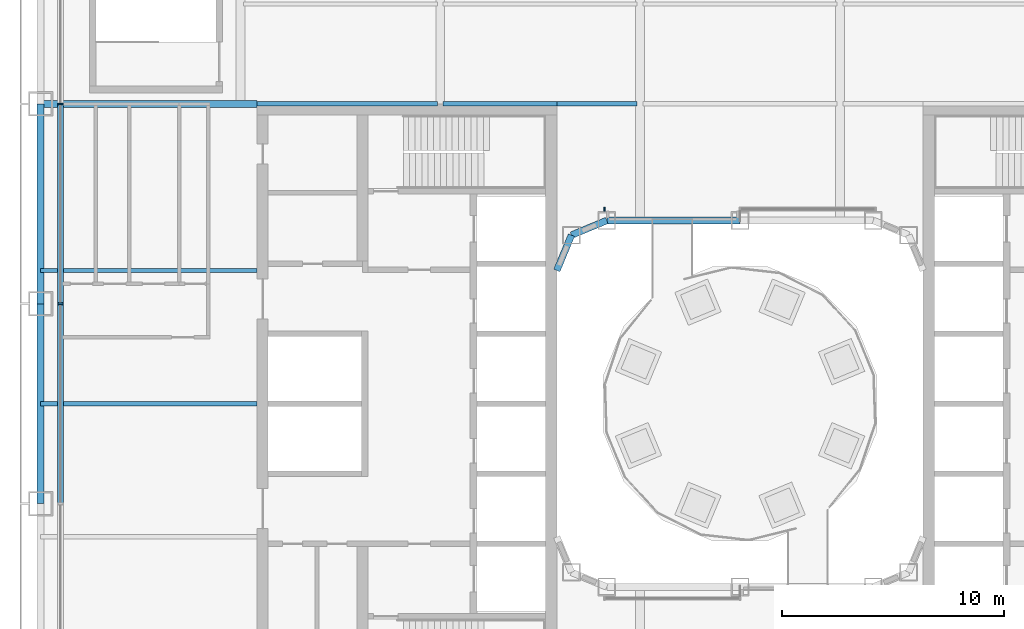
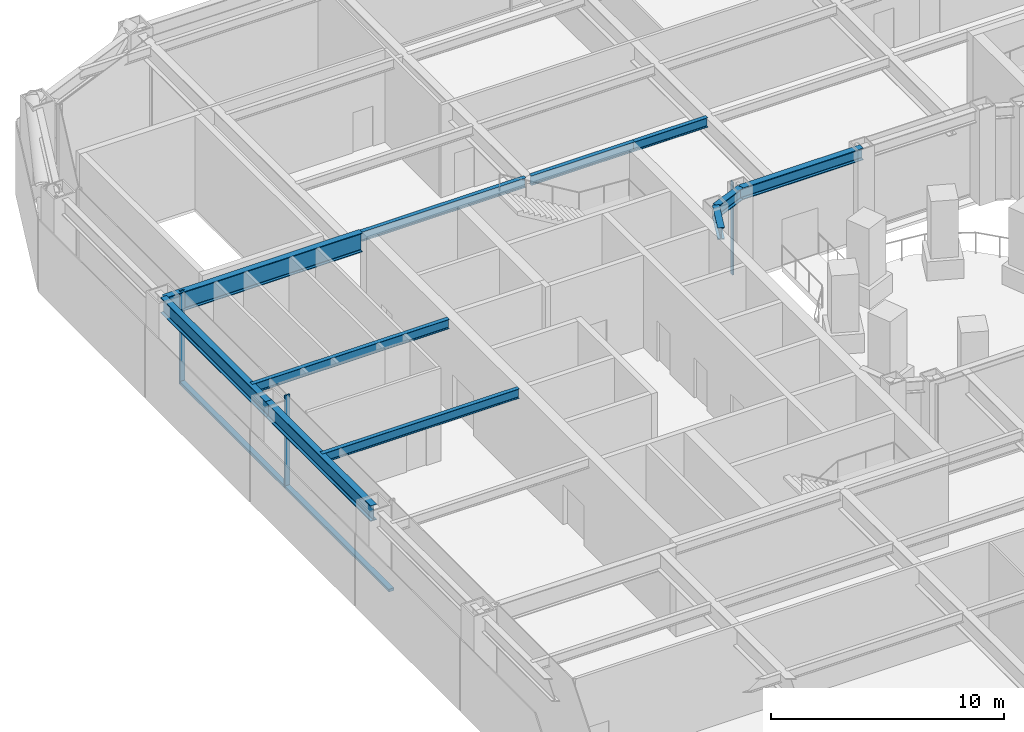
# One storey, part 6 of 25: 11 beams, 5 members, 2 elements without a shape of their own.
"""IFC4 building model written with IfcOpenShell, lengths in metres."""

from ifc_helpers import new_model, si_unit, direction, frame, origin, origin_2d, place, context, subcontext, project, spatial, rectangle, i_section, extrude, material, layer, layer_set, material_profile, profile_set, type_object, element, aggregate, save


model = new_model("IFC4")

# Units and contexts
model_context = context("Model", 3, precision=1e-05, world=origin(), true_north=direction((0.0, 1.0)))
body_context = subcontext(model_context, "Body", "Model", "MODEL_VIEW")
ifc_project = project(units=[si_unit("LENGTHUNIT", "METRE"), si_unit("AREAUNIT", "SQUARE_METRE"), si_unit("VOLUMEUNIT", "CUBIC_METRE"), si_unit("PLANEANGLEUNIT", "RADIAN"), si_unit("MASSUNIT", "GRAM", prefix="KILO")], contexts=[model_context])

# Site, building, storey
site_placement = place(None, origin())
site = spatial("IfcSite", under=ifc_project, at=site_placement, CompositionType="ELEMENT")
building_placement = place(site_placement, origin())
building = spatial("IfcBuilding", under=site, at=building_placement, Name="Siwar Civic Tower", CompositionType="ELEMENT")
storey_placement = place(building_placement, frame((0.0, 0.0, 17.199951171875)))
storey = spatial("IfcBuildingStorey", under=building, at=storey_placement, Name="L03", CompositionType="ELEMENT", Elevation=17.199951171875)

# Curtain wall, members
ifc_material_1 = material(Name="Aluminium and glass", Category="aluminium")
ifc_layer_1 = layer(ifc_material_1, 0.25)
ifc_layer_set_1 = layer_set([ifc_layer_1], Name="Aluminium and glass")
curtain_wall_type_1 = type_object("IfcCurtainWallType", Name="ENV-CW-H", PredefinedType="NOTDEFINED", material=ifc_layer_set_1)
curtain_wall_1_placement = place(storey_placement, origin())
curtain_wall_1 = element("IfcCurtainWall", 1, at=curtain_wall_1_placement, inside=storey, type_object=curtain_wall_type_1, Name="Curtain wall H W", PredefinedType="NOTDEFINED")
ifc_material_2 = material(Name="Aluminium 6063-T6", Category="aluminium")
ifc_material_profile_1 = material_profile(ifc_material_2, rectangle(XDim=0.25, YDim=0.080078125, at=origin_2d()), Name="AL 250x80")
ifc_profile_set_1 = profile_set([ifc_material_profile_1], Name="Aluminium 6063-T6")
member_type_1 = type_object("IfcMemberType", Name="ENV-MULLION-H", PredefinedType="MULLION", material=ifc_profile_set_1)
member_1_placement = place(storey_placement, frame((-30.60009765625, 13.5, 0.0), z_axis=(0.0, 0.0, 1.0), x_axis=(1.0, 0.0, 0.0)))
member_1 = element("IfcMember", 2, at=member_1_placement, type_object=member_type_1, Name="Mullion H W 2", PredefinedType="MULLION", context=body_context, shape_type="SweptSolid", body=[
    extrude(rectangle(XDim=0.25, YDim=0.080078125, at=origin_2d()), origin(), (0.0, 0.0, 1.0), 4.85009765625),
])
member_2_placement = place(storey_placement, frame((-30.60009765625, 4.5, 0.0), z_axis=(0.0, 0.0, 1.0), x_axis=(1.0, 0.0, 0.0)))
member_2 = element("IfcMember", 3, at=member_2_placement, type_object=member_type_1, Name="Mullion H W 3", PredefinedType="MULLION", context=body_context, shape_type="SweptSolid", body=[
    extrude(rectangle(XDim=0.25, YDim=0.080078125, at=origin_2d()), origin(), (0.0, 0.0, 1.0), 4.85009765625),
])

# Curtain wall, member
ifc_material_3 = material(Name="Aluminium and glass", Category="aluminium")
ifc_layer_2 = layer(ifc_material_3, 0.179931640625)
ifc_layer_set_2 = layer_set([ifc_layer_2], Name="Aluminium and glass")
curtain_wall_type_2 = type_object("IfcCurtainWallType", Name="ENV-CW-W", PredefinedType="NOTDEFINED", material=ifc_layer_set_2)
curtain_wall_2_placement = place(storey_placement, origin())
curtain_wall_2 = element("IfcCurtainWall", 4, at=curtain_wall_2_placement, inside=storey, type_object=curtain_wall_type_2, Name="Curtain wall W WN", PredefinedType="NOTDEFINED")
ifc_material_4 = material(Name="Aluminium 6063-T6", Category="aluminium")
ifc_material_profile_2 = material_profile(ifc_material_4, rectangle(XDim=0.179931640625, YDim=0.06005859375, at=origin_2d()), Name="AL 180x60")
ifc_profile_set_2 = profile_set([ifc_material_profile_2], Name="Aluminium 6063-T6")
member_type_2 = type_object("IfcMemberType", Name="ENV-MULLION-W", PredefinedType="MULLION", material=ifc_profile_set_2)
member_3_placement = place(storey_placement, frame((-6.1015625, 8.760009765625, 0.0), z_axis=(0.0, 0.0, 1.0), x_axis=(0.0, -1.0, 0.0)))
member_3 = element("IfcMember", 5, at=member_3_placement, type_object=member_type_2, Name="Mullion W WN 3", PredefinedType="MULLION", context=body_context, shape_type="SweptSolid", body=[
    extrude(rectangle(XDim=0.179931640625, YDim=0.06005859375, at=origin_2d()), origin(), (0.0, 0.0, 1.0), 4.85009765625),
])
aggregate(curtain_wall_2, [member_3])

# Member
ifc_material_5 = material(Name="Aluminium 6063-T6", Category="aluminium")
ifc_material_profile_3 = material_profile(ifc_material_5, rectangle(XDim=0.25, YDim=0.139892578125, at=origin_2d()), Name="AL 250x140")
ifc_profile_set_3 = profile_set([ifc_material_profile_3], Name="Aluminium 6063-T6")
member_type_3 = type_object("IfcMemberType", Name="ENV-TRANSOM-H", PredefinedType="USERDEFINED", material=ifc_profile_set_3)
member_4_placement = place(storey_placement, frame((-30.60009765625, 13.4599609375, 0.070068359375), z_axis=(0.0, -1.0, 0.0), x_axis=(1.0, 0.0, 0.0)))
member_4 = element("IfcMember", 6, at=member_4_placement, type_object=member_type_3, Name="Transom H W 2", ObjectType="TRANSOM", PredefinedType="USERDEFINED", context=body_context, shape_type="SweptSolid", body=[
    extrude(rectangle(XDim=0.25, YDim=0.139892578125, at=origin_2d()), origin(), (0.0, 0.0, 1.0), 8.919921875),
])

member_5_placement = place(storey_placement, frame((-30.60009765625, 4.4599609375, 0.070068359375), z_axis=(0.0, -1.0, 0.0), x_axis=(1.0, 0.0, 0.0)))
member_5 = element("IfcMember", 7, at=member_5_placement, type_object=member_type_3, Name="Transom H W 3", ObjectType="TRANSOM", PredefinedType="USERDEFINED", context=body_context, shape_type="SweptSolid", body=[
    extrude(rectangle(XDim=0.25, YDim=0.139892578125, at=origin_2d()), origin(), (0.0, 0.0, 1.0), 8.919921875),
])

aggregate(curtain_wall_1, [member_1, member_2, member_4, member_5])

# Beams
ifc_material_6 = material(Name="Steel S355", Category="steel")
ifc_material_profile_4 = material_profile(ifc_material_6, i_section(OverallWidth=0.199951171875, OverallDepth=0.5, WebThickness=0.01025390625, FlangeThickness=0.01611328125, FilletRadius=0.02099609375, at=origin_2d()), Name="IPE500")
ifc_profile_set_4 = profile_set([ifc_material_profile_4], Name="Steel S355")
beam_type_1 = type_object("IfcBeamType", Name="STR-FB-IPE500", PredefinedType="JOIST", material=ifc_profile_set_4)
for number, where, z_axis, x_axis, name in (
    (8, (-31.5, 0.0, 4.60009765625), (1.0, 0.0, 0.0), (0.0, 1.0, 0.0), "L03/bm/F031"),
    (9, (-31.5, 6.0, 4.60009765625), (1.0, 0.0, 0.0), (0.0, 1.0, 0.0), "L03/bm/F033"),
):
    element("IfcBeam", number, at=place(storey_placement, frame(where, z_axis=z_axis, x_axis=x_axis)), inside=storey, type_object=beam_type_1, Name=name, PredefinedType="JOIST", context=body_context, shape_type="SweptSolid", body=[
        extrude(i_section(OverallWidth=0.199951171875, OverallDepth=0.5, WebThickness=0.01025390625, FlangeThickness=0.01611328125, FilletRadius=0.02099609375, at=origin_2d()), origin(), (0.0, 0.0, 1.0), 9.75),
    ])
beam_1_placement = place(storey_placement, frame((-21.75, 13.5, 4.60009765625), z_axis=(1.0, 0.0, 0.0), x_axis=(0.0, 1.0, 0.0)))
element("IfcBeam", 10, at=beam_1_placement, inside=storey, type_object=beam_type_1, Name="L03/bm/F036", PredefinedType="JOIST", context=body_context, shape_type="SweptSolid", body=[
    extrude(i_section(OverallWidth=0.199951171875, OverallDepth=0.5, WebThickness=0.01025390625, FlangeThickness=0.01611328125, FilletRadius=0.02099609375, at=origin_2d()), origin(), (0.0, 0.0, 1.0), 8.1201171875),
])
beam_2_placement = place(storey_placement, frame((-13.3701171875, 13.5, 4.60009765625), z_axis=(1.0, 0.0, 0.0), x_axis=(0.0, 1.0, 0.0)))
element("IfcBeam", 11, at=beam_2_placement, inside=storey, type_object=beam_type_1, Name="L03/bm/F037", PredefinedType="JOIST", context=body_context, shape_type="SweptSolid", body=[
    extrude(i_section(OverallWidth=0.199951171875, OverallDepth=0.5, WebThickness=0.01025390625, FlangeThickness=0.01611328125, FilletRadius=0.02099609375, at=origin_2d()), origin(), (0.0, 0.0, 1.0), 5.1201171875),
])
beam_3_placement = place(storey_placement, frame((-8.25, 13.5, 4.60009765625), z_axis=(1.0, 0.0, 0.0), x_axis=(0.0, 1.0, 0.0)))
element("IfcBeam", 12, at=beam_3_placement, inside=storey, type_object=beam_type_1, Name="L03/bm/F038", PredefinedType="JOIST", context=body_context, shape_type="SweptSolid", body=[
    extrude(i_section(OverallWidth=0.199951171875, OverallDepth=0.5, WebThickness=0.01025390625, FlangeThickness=0.01611328125, FilletRadius=0.02099609375, at=origin_2d()), origin(), (0.0, 0.0, 1.0), 3.6201171875),
])
ifc_material_7 = material(Name="Steel S355", Category="steel")
ifc_material_profile_5 = material_profile(ifc_material_7, i_section(OverallWidth=0.300048828125, OverallDepth=1.0, WebThickness=0.01904296875, FlangeThickness=0.035888671875, FilletRadius=0.030029296875, at=origin_2d()), Name="HEB1000")
ifc_profile_set_5 = profile_set([ifc_material_profile_5], Name="Steel S355")
beam_type_2 = type_object("IfcBeamType", Name="STR-PG-HEB1000", PredefinedType="BEAM", material=ifc_profile_set_5)
beam_4_placement = place(storey_placement, frame((-31.5, 13.5, 4.35009765625), z_axis=(1.0, 0.0, 0.0), x_axis=(0.0, 1.0, 0.0)))
element("IfcBeam", 13, at=beam_4_placement, inside=storey, type_object=beam_type_2, Name="L03/bm/F035", PredefinedType="BEAM", context=body_context, shape_type="SweptSolid", body=[
    extrude(i_section(OverallWidth=0.300048828125, OverallDepth=1.0, WebThickness=0.01904296875, FlangeThickness=0.035888671875, FilletRadius=0.030029296875, at=origin_2d()), origin(), (0.0, 0.0, 1.0), 9.75),
])
ifc_material_8 = material(Name="Steel S355", Category="steel")
ifc_material_profile_6 = material_profile(ifc_material_8, i_section(OverallWidth=0.304931640625, OverallDepth=0.6201171875, WebThickness=0.02099609375, FlangeThickness=0.0400390625, FilletRadius=0.027099609375, at=origin_2d()), Name="HEM600")
ifc_profile_set_6 = profile_set([ifc_material_profile_6], Name="Steel S355")
beam_type_3 = type_object("IfcBeamType", Name="STR-RB-HEM600", PredefinedType="BEAM", material=ifc_profile_set_6)
beam_5_placement = place(storey_placement, frame((-7.591064453125, 7.591064453125, 4.5400390625), z_axis=(0.923901072997, 0.382631424892, 0.0), x_axis=(-0.382631424892, 0.923901072997, 0.0)))
element("IfcBeam", 14, at=beam_5_placement, inside=storey, type_object=beam_type_3, Name="L03/bm/RN0", PredefinedType="BEAM", context=body_context, shape_type="SweptSolid", body=[
    extrude(i_section(OverallWidth=0.304931640625, OverallDepth=0.6201171875, WebThickness=0.02099609375, FlangeThickness=0.0400390625, FilletRadius=0.027099609375, at=origin_2d()), origin(), (0.0, 0.0, 1.0), 1.72216796875),
])
beam_6_placement = place(storey_placement, frame((-6.0, 8.25, 4.5400390625), z_axis=(1.0, 0.0, 0.0), x_axis=(0.0, 1.0, 0.0)))
element("IfcBeam", 15, at=beam_6_placement, inside=storey, type_object=beam_type_3, Name="L03/bm/RN1", PredefinedType="BEAM", context=body_context, shape_type="SweptSolid", body=[
    extrude(i_section(OverallWidth=0.304931640625, OverallDepth=0.6201171875, WebThickness=0.02099609375, FlangeThickness=0.0400390625, FilletRadius=0.027099609375, at=origin_2d()), origin(), (0.0, 0.0, 1.0), 6.0),
])
beam_7_placement = place(storey_placement, frame((-7.591064453125, 7.591064453125, 4.5400390625), z_axis=(-0.382631424892, -0.923901072997, 0.0), x_axis=(0.923901072997, -0.382631424892, 0.0)))
element("IfcBeam", 16, at=beam_7_placement, inside=storey, type_object=beam_type_3, Name="L03/bm/RNEW", PredefinedType="BEAM", context=body_context, shape_type="SweptSolid", body=[
    extrude(i_section(OverallWidth=0.304931640625, OverallDepth=0.6201171875, WebThickness=0.02099609375, FlangeThickness=0.0400390625, FilletRadius=0.027099609375, at=origin_2d()), origin(), (0.0, 0.0, 1.0), 1.72216796875),
])
ifc_material_9 = material(Name="Steel S355", Category="steel")
ifc_material_profile_7 = material_profile(ifc_material_9, i_section(OverallWidth=0.302978515625, OverallDepth=0.81396484375, WebThickness=0.02099609375, FlangeThickness=0.0400390625, FilletRadius=0.030029296875, at=origin_2d()), Name="HEM800")
ifc_profile_set_7 = profile_set([ifc_material_profile_7], Name="Steel S355")
beam_type_4 = type_object("IfcBeamType", Name="STR-SB-HEM800", PredefinedType="BEAM", material=ifc_profile_set_7)
for number, where, z_axis, x_axis, name in (
    (17, (-31.5, 13.5, 4.443115234375), (0.0, -1.0, 0.0), (1.0, 0.0, 0.0), "L03/bm/SW-1"),
    (18, (-31.5, 4.5, 4.443115234375), (0.0, -1.0, 0.0), (1.0, 0.0, 0.0), "L03/bm/SW-2"),
):
    element("IfcBeam", number, at=place(storey_placement, frame(where, z_axis=z_axis, x_axis=x_axis)), inside=storey, type_object=beam_type_4, Name=name, PredefinedType="BEAM", context=body_context, shape_type="SweptSolid", body=[
        extrude(i_section(OverallWidth=0.302978515625, OverallDepth=0.81396484375, WebThickness=0.02099609375, FlangeThickness=0.0400390625, FilletRadius=0.030029296875, at=origin_2d()), origin(), (0.0, 0.0, 1.0), 9.0),
    ])

save(model, "model.ifc")
